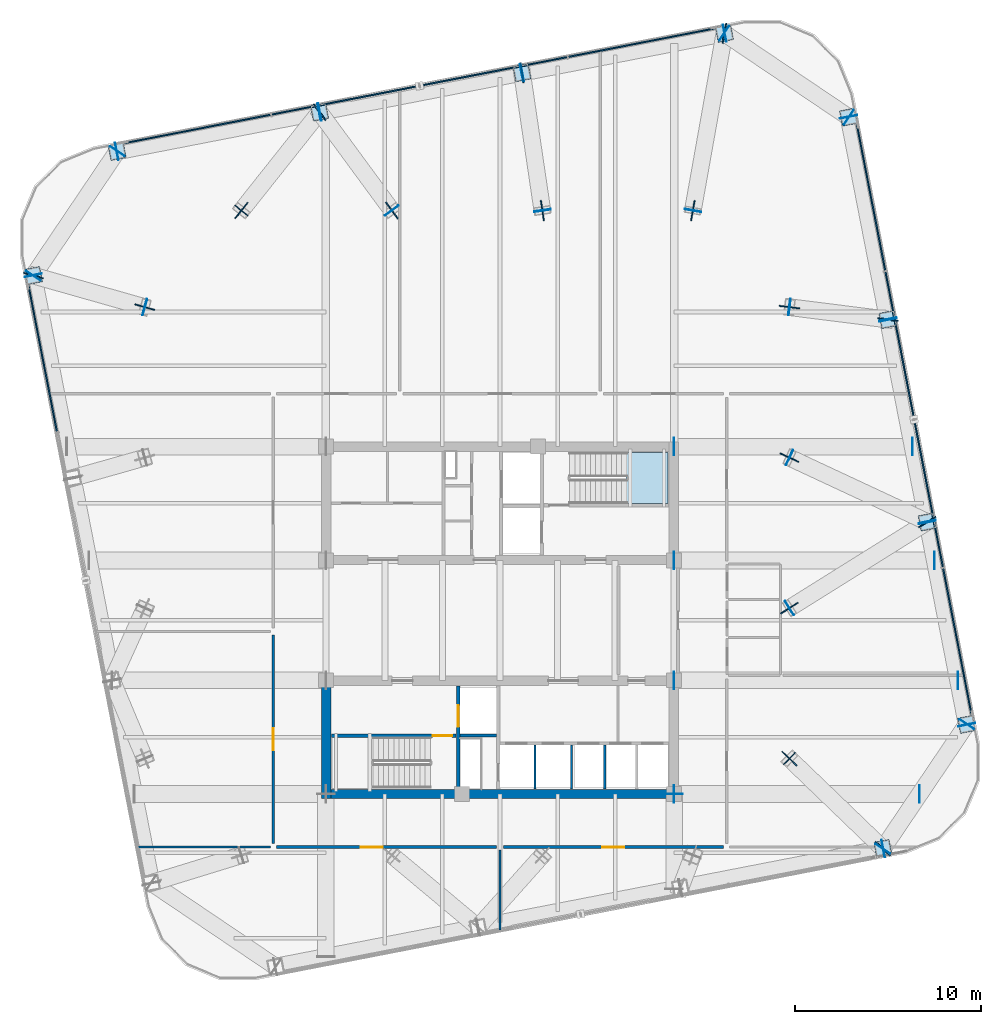
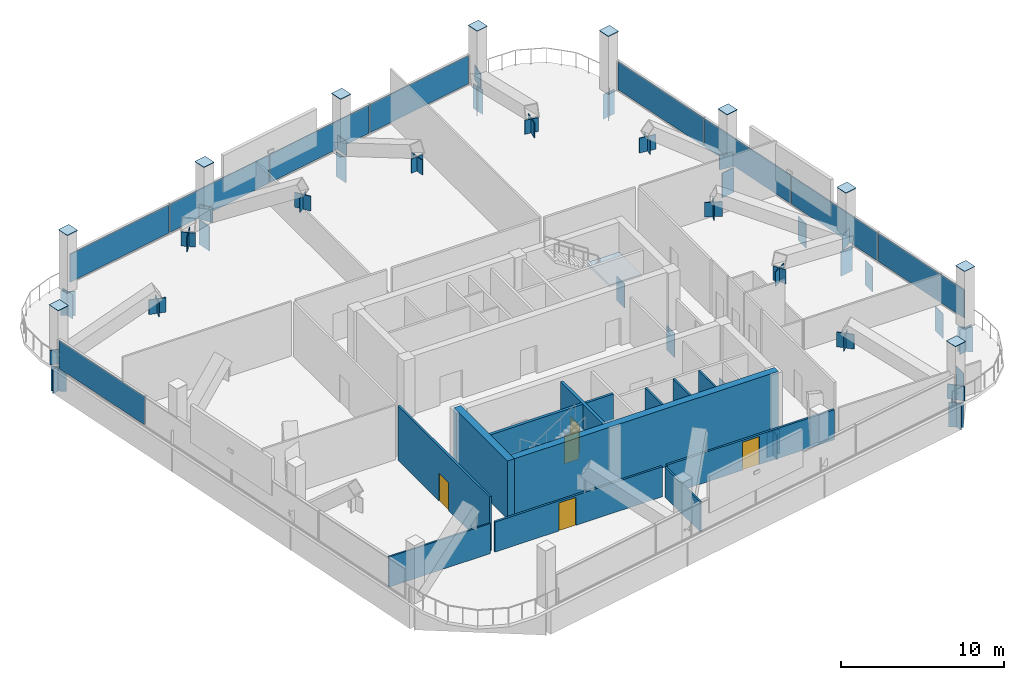
# One storey, part 20 of 26: 73 plates, 13 walls, 5 doors, 1 slab, 5 openings, 4 elements without a shape of their own.
"""IFC4 building model written with IfcOpenShell, lengths in metres."""

from ifc_helpers import new_model, si_unit, direction, frame, frame_2d, origin, origin_2d, place, context, subcontext, project, spatial, polyline, rectangle, outline, extrude, material, layer, layer_set, type_object, element, fill, aggregate, save


model = new_model("IFC4")

# Units and contexts
model_context = context("Model", 3, precision=1e-05, world=origin(), true_north=direction((0.0, 1.0)))
body_context = subcontext(model_context, "Body", "Model", "MODEL_VIEW")
ifc_project = project(units=[si_unit("LENGTHUNIT", "METRE"), si_unit("AREAUNIT", "SQUARE_METRE"), si_unit("VOLUMEUNIT", "CUBIC_METRE"), si_unit("PLANEANGLEUNIT", "RADIAN"), si_unit("MASSUNIT", "GRAM", prefix="KILO")], contexts=[model_context])

# Site, building, storey
site_placement = place(None, origin())
site = spatial("IfcSite", under=ifc_project, at=site_placement, CompositionType="ELEMENT")
building_placement = place(site_placement, origin())
building = spatial("IfcBuilding", under=site, at=building_placement, Name="Qhalaya Broadcast Tower", CompositionType="ELEMENT")
storey_placement = place(building_placement, frame((0.0, 0.0, 140.25)))
storey = spatial("IfcBuildingStorey", under=building, at=storey_placement, Name="L41", CompositionType="ELEMENT", Elevation=140.25)

# Plates
ifc_material_1 = material(Name="Structural Steel ASTM A572 Grade 50", Category="steel")
ifc_layer_1 = layer(ifc_material_1, 0.054931640625, Name="Structural Steel ASTM A572 Grade 50")
ifc_layer_set_1 = layer_set([ifc_layer_1], Name="Structural Steel ASTM A572 Grade 50")
plate_type_1 = type_object("IfcPlateType", Name="Exoskeleton Diamond Node Gusset Plate NP-01", PredefinedType="USERDEFINED", material=ifc_layer_set_1)
for number, where, z_axis, x_axis, name in (
    (1, (20.608642578125, -11.682373046875, 0.0), (0.0, 0.0, 1.0), (-0.720321131312, 0.693640733943, 0.0), "L41 Strut Foot Gusset Plate 05"),
    (2, (15.580078125, -6.840087890625, 2.7099609375), (0.0, 0.0, 1.0), (-0.720321131312, 0.693640733943, 0.0), "L41 Strut Head Gusset Plate 05"),
    (3, (22.998291015625, 5.896484375, 0.0), (0.0, 0.0, 1.0), (-0.847992598491, -0.530008068716, 0.0), "L41 Strut Foot Gusset Plate 06"),
    (4, (15.580078125, 1.260009765625, 2.7099609375), (0.0, 0.0, 1.0), (-0.847992598491, -0.530008068716, 0.0), "L41 Strut Head Gusset Plate 06"),
    (5, (15.580078125, 9.360107421875, 2.7099609375), (0.0, 0.0, 1.0), (-0.906115915645, 0.423029487641, 0.0), "L41 Strut Head Gusset Plate 07"),
    (6, (20.88037109375, 16.79248046875, 0.0), (0.0, 0.0, 1.0), (-0.992164933362, 0.124934963111, 0.0), "L41 Strut Foot Gusset Plate 08"),
    (7, (15.580078125, 17.4599609375, 2.7099609375), (0.0, 0.0, 1.0), (-0.992164933362, 0.124934963111, 0.0), "L41 Strut Head Gusset Plate 08"),
    (8, (12.07958984375, 32.1962890625, 0.0), (0.0, 0.0, 1.0), (-0.175452639534, -0.984487872592, 0.0), "L41 Strut Foot Gusset Plate 09"),
    (9, (10.3798828125, 22.659912109375, 2.7099609375), (0.0, 0.0, 1.0), (-0.175452639534, -0.984487872592, 0.0), "L41 Strut Head Gusset Plate 09"),
    (10, (1.183349609375, 30.078369140625, 0.0), (0.0, 0.0, 1.0), (0.146238421294, -0.98924937409, 0.0), "L41 Strut Foot Gusset Plate 10"),
    (11, (2.280029296875, 22.659912109375, 2.7099609375), (0.0, 0.0, 1.0), (0.146238421294, -0.98924937409, 0.0), "L41 Strut Head Gusset Plate 10"),
    (12, (-9.712646484375, 27.96044921875, 0.0), (0.0, 0.0, 1.0), (0.591914711667, -0.806000604288, 0.0), "L41 Strut Foot Gusset Plate 11"),
    (13, (-5.820068359375, 22.659912109375, 2.7099609375), (0.0, 0.0, 1.0), (0.591914711667, -0.806000604288, 0.0), "L41 Strut Head Gusset Plate 11"),
    (14, (-13.919921875, 22.659912109375, 2.7099609375), (0.0, 0.0, 1.0), (-0.62172209065, -0.783237921706, 0.0), "L41 Strut Head Gusset Plate 12"),
    (15, (-25.1162109375, 19.159423828125, 0.0), (0.0, 0.0, 1.0), (0.962103856634, -0.272683276072, 0.0), "L41 Strut Foot Gusset Plate 13"),
    (16, (-19.1201171875, 17.4599609375, 2.7099609375), (0.0, 0.0, 1.0), (0.962103856634, -0.272683276072, 0.0), "L41 Strut Head Gusset Plate 13"),
):
    element("IfcPlate", number, at=place(storey_placement, frame(where, z_axis=z_axis, x_axis=x_axis)), inside=storey, type_object=plate_type_1, Name=name, ObjectType="GUSSET_PLATE", PredefinedType="USERDEFINED", context=body_context, shape_type="SweptSolid", body=[
        extrude(rectangle(XDim=1.10009765625, YDim=0.06005859375, at=origin_2d()), origin(), (0.0, 0.0, 1.0), 1.10009765625),
    ])
ifc_layer_2 = layer(ifc_material_1, 0.4599609375, Name="Structural Steel ASTM A572 Grade 50")
ifc_layer_set_2 = layer_set([ifc_layer_2], Name="Structural Steel ASTM A572 Grade 50")
plate_type_2 = type_object("IfcPlateType", Name="Hollow Box Member End Cap Plate CP-01", PredefinedType="USERDEFINED", material=ifc_layer_set_2)
for number, where, z_axis, x_axis, name in (
    (17, (20.62451171875, -11.67919921875, -2.0400390625), (0.0, 0.0, 1.0), (-0.190808995377, 0.981627183448, 0.0), "L41 Hollow Girder End Cap L41-SPR-03-B"),
    (18, (20.599853515625, -11.69580078125, -2.0400390625), (0.0, 0.0, 1.0), (-0.829037572555, 0.559192903471, 0.0), "L41 Hollow Girder End Cap L41-SPR-04-A"),
    (19, (25.125244140625, -4.986083984375, -2.0400390625), (0.0, 0.0, 1.0), (-0.829037572555, 0.559192903471, 0.0), "L41 Hollow Girder End Cap L41-SPR-04-B"),
    (20, (25.119384765625, -5.01513671875, -2.0400390625), (0.0, 0.0, 1.0), (-0.981627183448, -0.190808995377, 0.0), "L41 Hollow Girder End Cap L41-SPR-05-A"),
    (21, (22.995361328125, 5.912353515625, -2.0400390625), (0.0, 0.0, 1.0), (-0.981627183448, -0.190808995377, 0.0), "L41 Hollow Girder End Cap L41-SPR-05-B"),
    (22, (23.00146484375, 5.880859375, -2.0400390625), (0.0, 0.0, 1.0), (-0.981627183448, -0.190808995377, 0.0), "L41 Hollow Girder End Cap L41-SPR-06-A"),
    (23, (20.877197265625, 16.808349609375, -2.0400390625), (0.0, 0.0, 1.0), (-0.981627183448, -0.190808995377, 0.0), "L41 Hollow Girder End Cap L41-SPR-06-B"),
    (24, (20.883544921875, 16.77685546875, -2.0400390625), (0.0, 0.0, 1.0), (-0.981627183448, -0.190808995377, 0.0), "L41 Hollow Girder End Cap L41-SPR-07-A"),
    (25, (18.75927734375, 27.704345703125, -2.0400390625), (0.0, 0.0, 1.0), (-0.981627183448, -0.190808995377, 0.0), "L41 Hollow Girder End Cap L41-SPR-07-B"),
    (26, (18.775634765625, 27.6796875, -2.0400390625), (0.0, 0.0, 1.0), (-0.559192903471, -0.829037572555, 0.0), "L41 Hollow Girder End Cap L41-SPR-08-A"),
    (27, (12.066162109375, 32.205078125, -2.0400390625), (0.0, 0.0, 1.0), (-0.559192903471, -0.829037572555, 0.0), "L41 Hollow Girder End Cap L41-SPR-08-B"),
    (28, (12.09521484375, 32.199462890625, -2.0400390625), (0.0, 0.0, 1.0), (0.190808995377, -0.981627183448, 0.0), "L41 Hollow Girder End Cap L41-SPR-09-A"),
    (29, (1.167724609375, 30.0751953125, -2.0400390625), (0.0, 0.0, 1.0), (0.190808995377, -0.981627183448, 0.0), "L41 Hollow Girder End Cap L41-SPR-09-B"),
    (30, (1.19921875, 30.08154296875, -2.0400390625), (0.0, 0.0, 1.0), (0.190808995377, -0.981627183448, 0.0), "L41 Hollow Girder End Cap L41-SPR-10-A"),
    (31, (-9.728271484375, 27.957275390625, -2.0400390625), (0.0, 0.0, 1.0), (0.190808995377, -0.981627183448, 0.0), "L41 Hollow Girder End Cap L41-SPR-10-B"),
    (32, (-9.697021484375, 27.96337890625, -2.0400390625), (0.0, 0.0, 1.0), (0.190808995377, -0.981627183448, 0.0), "L41 Hollow Girder End Cap L41-SPR-11-A"),
    (33, (-20.62451171875, 25.83935546875, -2.0400390625), (0.0, 0.0, 1.0), (0.190808995377, -0.981627183448, 0.0), "L41 Hollow Girder End Cap L41-SPR-11-B"),
    (34, (-20.599853515625, 25.855712890625, -2.0400390625), (0.0, 0.0, 1.0), (0.829037572555, -0.559192903471, 0.0), "L41 Hollow Girder End Cap L41-SPR-12-A"),
    (35, (-25.125244140625, 19.146240234375, -2.0400390625), (0.0, 0.0, 1.0), (0.829037572555, -0.559192903471, 0.0), "L41 Hollow Girder End Cap L41-SPR-12-B"),
    (36, (-25.119384765625, 19.17529296875, -2.0400390625), (0.0, 0.0, 1.0), (0.981627183448, 0.190808995377, 0.0), "L41 Hollow Girder End Cap L41-SPR-13-A"),
    (37, (9.375, -8.73388671875, -2.0400390625), (0.0, 0.0, 1.0), (-1.0, 0.0, 0.0), "L41 Hollow Girder End Cap L41-PGXS2-1-B"),
    (38, (9.35888671875, -8.75, -2.0400390625), (0.0, 0.0, 1.0), (0.0, 1.0, 0.0), "L41 Hollow Girder End Cap L41-PGYE1-1-A"),
    (39, (22.57861328125, -8.75, -2.0400390625), (0.0, 0.0, 1.0), (0.0, 1.0, 0.0), "L41 Hollow Girder End Cap L41-PGYE1-1-B"),
    (40, (9.35888671875, -2.625, -2.0400390625), (0.0, 0.0, 1.0), (0.0, 1.0, 0.0), "L41 Hollow Girder End Cap L41-PGYE2-1-A"),
    (41, (24.650390625, -2.625, -2.0400390625), (0.0, 0.0, 1.0), (0.0, 1.0, 0.0), "L41 Hollow Girder End Cap L41-PGYE2-1-B"),
    (42, (9.35888671875, 3.824951171875, -2.0400390625), (0.0, 0.0, 1.0), (0.0, 1.0, 0.0), "L41 Hollow Girder End Cap L41-PGYE3-1-A"),
    (43, (23.396728515625, 3.824951171875, -2.0400390625), (0.0, 0.0, 1.0), (0.0, 1.0, 0.0), "L41 Hollow Girder End Cap L41-PGYE3-1-B"),
    (44, (9.35888671875, 9.949951171875, -2.0400390625), (0.0, 0.0, 1.0), (0.0, 1.0, 0.0), "L41 Hollow Girder End Cap L41-PGYE4-1-A"),
    (45, (22.2060546875, 9.949951171875, -2.0400390625), (0.0, 0.0, 1.0), (0.0, 1.0, 0.0), "L41 Hollow Girder End Cap L41-PGYE4-1-B"),
):
    element("IfcPlate", number, at=place(storey_placement, frame(where, z_axis=z_axis, x_axis=x_axis)), inside=storey, type_object=plate_type_2, Name=name, ObjectType="COVER_PLATE", PredefinedType="USERDEFINED", context=body_context, shape_type="SweptSolid", body=[
        extrude(rectangle(XDim=0.93994140625, YDim=0.031982421875, at=origin_2d()), origin(), (0.0, 0.0, 1.0), 1.840087890625),
    ])
for number, where, z_axis, x_axis, name in (
    (46, (20.608642578125, -11.682373046875, 4.35009765625), (0.0, 0.0, 1.0), (0.981627183448, 0.190808995377, 0.0), "L41 Hollow Box Column Top Cap Plate COL-EX04"),
    (47, (25.1162109375, -4.99951171875, 4.35009765625), (0.0, 0.0, 1.0), (-0.190808995377, 0.981627183448, 0.0), "L41 Hollow Box Column Top Cap Plate COL-EX05"),
    (48, (22.998291015625, 5.896484375, 4.35009765625), (0.0, 0.0, 1.0), (-0.190808995377, 0.981627183448, 0.0), "L41 Hollow Box Column Top Cap Plate COL-EX06"),
    (49, (20.88037109375, 16.79248046875, 4.35009765625), (0.0, 0.0, 1.0), (-0.190808995377, 0.981627183448, 0.0), "L41 Hollow Box Column Top Cap Plate COL-EX07"),
    (50, (18.762451171875, 27.688720703125, 4.35009765625), (0.0, 0.0, 1.0), (-0.190808995377, 0.981627183448, 0.0), "L41 Hollow Box Column Top Cap Plate COL-EX08"),
    (51, (12.07958984375, 32.1962890625, 4.35009765625), (0.0, 0.0, 1.0), (0.981627183448, 0.190808995377, 0.0), "L41 Hollow Box Column Top Cap Plate COL-EX09"),
    (52, (1.183349609375, 30.078369140625, 4.35009765625), (0.0, 0.0, 1.0), (0.981627183448, 0.190808995377, 0.0), "L41 Hollow Box Column Top Cap Plate COL-EX10"),
    (53, (-9.712646484375, 27.96044921875, 4.35009765625), (0.0, 0.0, 1.0), (0.981627183448, 0.190808995377, 0.0), "L41 Hollow Box Column Top Cap Plate COL-EX11"),
    (54, (-20.608642578125, 25.84228515625, 4.35009765625), (0.0, 0.0, 1.0), (0.981627183448, 0.190808995377, 0.0), "L41 Hollow Box Column Top Cap Plate COL-EX12"),
    (55, (-25.1162109375, 19.159423828125, 4.35009765625), (0.0, 0.0, 1.0), (-0.190808995377, 0.981627183448, 0.0), "L41 Hollow Box Column Top Cap Plate COL-EX13"),
):
    element("IfcPlate", number, at=place(storey_placement, frame(where, z_axis=z_axis, x_axis=x_axis)), inside=storey, type_object=plate_type_2, Name=name, ObjectType="COVER_PLATE", PredefinedType="USERDEFINED", context=body_context, shape_type="SweptSolid", body=[
        extrude(rectangle(XDim=0.840087890625, YDim=0.840087890625, at=origin_2d()), origin(), (0.0, 0.0, 1.0), 0.031982421875),
    ])

# Curtain wall, plates
ifc_material_2 = material(Name="Fired Architectural Terracotta", Category="masonry")
ifc_layer_3 = layer(ifc_material_2, 0.219970703125, Name="Fired Architectural Terracotta")
ifc_layer_set_3 = layer_set([ifc_layer_3], Name="Fired Architectural Terracotta")
curtain_wall_type = type_object("IfcCurtainWallType", Name="Block-Cap Unitised Terracotta Spandrel Wall CW-07", PredefinedType="NOTDEFINED", material=ifc_layer_set_3)
curtain_wall_1_placement = place(storey_placement, origin())
curtain_wall_1 = element("IfcCurtainWall", 56, at=curtain_wall_1_placement, inside=storey, type_object=curtain_wall_type, Name="L41 Unitised Curtain Wall L41-CW-E", PredefinedType="NOTDEFINED")
ifc_layer_4 = layer(ifc_material_2, 0.080078125, Name="Fired Architectural Terracotta")
ifc_layer_set_4 = layer_set([ifc_layer_4], Name="Fired Architectural Terracotta")
plate_type_3 = type_object("IfcPlateType", Name="Insulated Terracotta Spandrel Panel TSP-07", PredefinedType="CURTAIN_PANEL", material=ifc_layer_set_4)
plate_1_placement = place(storey_placement, frame((19.968994140625, 23.3671875, 0.074951171875), z_axis=(0.0, 0.0, 1.0), x_axis=(0.190810076719, -0.981626973255, 0.0)))
plate_1 = element("IfcPlate", 57, at=plate_1_placement, type_object=plate_type_3, Name="CW-07 panel 1.1", PredefinedType="CURTAIN_PANEL", context=body_context, shape_type="SweptSolid", body=[
    extrude(rectangle(XDim=8.0185546875, YDim=0.080078125, at=origin_2d()), origin(), (0.0, 0.0, 1.0), 2.10009765625),
])
plate_2_placement = place(storey_placement, frame((21.51708984375, 15.404052734375, 0.074951171875), z_axis=(0.0, 0.0, 1.0), x_axis=(0.190810076719, -0.981626973255, 0.0)))
plate_2 = element("IfcPlate", 58, at=plate_2_placement, type_object=plate_type_3, Name="CW-07 panel 2.1", PredefinedType="CURTAIN_PANEL", context=body_context, shape_type="SweptSolid", body=[
    extrude(rectangle(XDim=8.055908203125, YDim=0.080078125, at=origin_2d()), origin(), (0.0, 0.0, 1.0), 2.10009765625),
])
plate_3_placement = place(storey_placement, frame((23.068603515625, 7.422607421875, 0.074951171875), z_axis=(0.0, 0.0, 1.0), x_axis=(0.190810076719, -0.981626973255, 0.0)))
plate_3 = element("IfcPlate", 59, at=plate_3_placement, type_object=plate_type_3, Name="CW-07 panel 3.1", PredefinedType="CURTAIN_PANEL", context=body_context, shape_type="SweptSolid", body=[
    extrude(rectangle(XDim=8.055908203125, YDim=0.080078125, at=origin_2d()), origin(), (0.0, 0.0, 1.0), 2.10009765625),
])
plate_4_placement = place(storey_placement, frame((24.616455078125, -0.540771484375, 0.074951171875), z_axis=(0.0, 0.0, 1.0), x_axis=(0.190810076719, -0.981626973255, 0.0)))
plate_4 = element("IfcPlate", 60, at=plate_4_placement, type_object=plate_type_3, Name="CW-07 panel 4.1", PredefinedType="CURTAIN_PANEL", context=body_context, shape_type="SweptSolid", body=[
    extrude(rectangle(XDim=8.0185546875, YDim=0.080078125, at=origin_2d()), origin(), (0.0, 0.0, 1.0), 2.10009765625),
])
aggregate(curtain_wall_1, [plate_1, plate_2, plate_3, plate_4])

curtain_wall_2_placement = place(storey_placement, origin())
curtain_wall_2 = element("IfcCurtainWall", 61, at=curtain_wall_2_placement, inside=storey, type_object=curtain_wall_type, Name="L41 Unitised Curtain Wall L41-CW-N", PredefinedType="NOTDEFINED")
plate_5_placement = place(storey_placement, frame((-16.287353515625, 27.049072265625, 0.074951171875), z_axis=(0.0, 0.0, 1.0), x_axis=(0.981626973255, 0.190810076719, 0.0)))
plate_5 = element("IfcPlate", 62, at=plate_5_placement, type_object=plate_type_3, Name="CW-07 panel 1.1", PredefinedType="CURTAIN_PANEL", context=body_context, shape_type="SweptSolid", body=[
    extrude(rectangle(XDim=8.0185546875, YDim=0.080078125, at=origin_2d()), origin(), (0.0, 0.0, 1.0), 2.10009765625),
])
plate_6_placement = place(storey_placement, frame((-8.32421875, 28.596923828125, 0.074951171875), z_axis=(0.0, 0.0, 1.0), x_axis=(0.981626973255, 0.190810076719, 0.0)))
plate_6 = element("IfcPlate", 63, at=plate_6_placement, type_object=plate_type_3, Name="CW-07 panel 2.1", PredefinedType="CURTAIN_PANEL", context=body_context, shape_type="SweptSolid", body=[
    extrude(rectangle(XDim=8.055908203125, YDim=0.080078125, at=origin_2d()), origin(), (0.0, 0.0, 1.0), 2.10009765625),
])
plate_7_placement = place(storey_placement, frame((-0.342529296875, 30.1484375, 0.074951171875), z_axis=(0.0, 0.0, 1.0), x_axis=(0.981626973255, 0.190810076719, 0.0)))
plate_7 = element("IfcPlate", 64, at=plate_7_placement, type_object=plate_type_3, Name="CW-07 panel 3.1", PredefinedType="CURTAIN_PANEL", context=body_context, shape_type="SweptSolid", body=[
    extrude(rectangle(XDim=8.055908203125, YDim=0.080078125, at=origin_2d()), origin(), (0.0, 0.0, 1.0), 2.10009765625),
])
plate_8_placement = place(storey_placement, frame((7.62060546875, 31.6962890625, 0.074951171875), z_axis=(0.0, 0.0, 1.0), x_axis=(0.981626973255, 0.190810076719, 0.0)))
plate_8 = element("IfcPlate", 65, at=plate_8_placement, type_object=plate_type_3, Name="CW-07 panel 4.1", PredefinedType="CURTAIN_PANEL", context=body_context, shape_type="SweptSolid", body=[
    extrude(rectangle(XDim=8.0185546875, YDim=0.080078125, at=origin_2d()), origin(), (0.0, 0.0, 1.0), 2.10009765625),
])
aggregate(curtain_wall_2, [plate_5, plate_6, plate_7, plate_8])

# Curtain wall, plate
curtain_wall_3_placement = place(storey_placement, origin())
curtain_wall_3 = element("IfcCurtainWall", 66, at=curtain_wall_3_placement, inside=storey, type_object=curtain_wall_type, Name="L41 Unitised Curtain Wall L41-CW-W", PredefinedType="NOTDEFINED")
plate_9_placement = place(storey_placement, frame((-24.616455078125, 14.70068359375, 0.074951171875), z_axis=(0.0, 0.0, 1.0), x_axis=(-0.190810076719, 0.981626973255, 0.0)))
plate_9 = element("IfcPlate", 67, at=plate_9_placement, type_object=plate_type_3, Name="CW-07 panel 4.1", PredefinedType="CURTAIN_PANEL", context=body_context, shape_type="SweptSolid", body=[
    extrude(rectangle(XDim=8.0185546875, YDim=0.080078125, at=origin_2d()), origin(), (0.0, 0.0, 1.0), 2.10009765625),
])
aggregate(curtain_wall_3, [plate_9])

# Stair, slab
ifc_material_3 = material(Name="Concrete C40/50", Category="concrete")
stair_type = type_object("IfcStairType", Name="Protected Dogleg Core Stair 4200", PredefinedType="TWO_STRAIGHT_RUN_STAIR", material=ifc_material_3)
stair_placement = place(storey_placement, origin())
stair = element("IfcStair", 68, at=stair_placement, inside=storey, type_object=stair_type, Name="L41 North Core Exit Stair ST-1", PredefinedType="TWO_STRAIGHT_RUN_STAIR")
ifc_layer_5 = layer(ifc_material_3, 0.199951171875, Name="Concrete C40/50")
ifc_layer_set_5 = layer_set([ifc_layer_5], Name="Concrete C40/50")
slab_type = type_object("IfcSlabType", Name="Stair & Ramp Half-Landing Slab 200", PredefinedType="LANDING", material=ifc_layer_set_5)
slab_placement = place(storey_placement, frame((0.0, 0.0, 1.97509765625)))
slab = element("IfcSlab", 69, at=slab_placement, type_object=slab_type, Name="ST-1 landing 1", PredefinedType="LANDING", context=body_context, shape_type="SweptSolid", body=[
    extrude(outline(polyline([(6.794921875, 6.8798828125), (9.050048828125, 6.8798828125), (9.050048828125, 9.639892578125), (6.794921875, 9.639892578125), (6.794921875, 6.8798828125)])), origin(), (0.0, 0.0, 1.0), 0.199951171875),
])
aggregate(stair, [slab])

# Plates
ifc_layer_6 = layer(ifc_material_1, 0.044921875, Name="Structural Steel ASTM A572 Grade 50")
ifc_layer_set_6 = layer_set([ifc_layer_6], Name="Structural Steel ASTM A572 Grade 50")
plate_type_4 = type_object("IfcPlateType", Name="Transfer Girder Web Stiffener Plate WS-01", PredefinedType="USERDEFINED", material=ifc_layer_set_6)
for number, where, z_axis, x_axis, name in (
    (70, (15.580078125, -6.840087890625, 2.73486328125), (0.0, 0.0, 1.0), (-0.693640733943, -0.720321131312, 0.0), "L41 Strut Head Cross Diaphragm Plate 05"),
    (71, (15.580078125, 1.260009765625, 2.73486328125), (0.0, 0.0, 1.0), (0.530008068716, -0.847992598491, 0.0), "L41 Strut Head Cross Diaphragm Plate 06"),
    (72, (15.580078125, 9.360107421875, 2.73486328125), (0.0, 0.0, 1.0), (-0.423029487641, -0.906115915645, 0.0), "L41 Strut Head Cross Diaphragm Plate 07"),
    (73, (15.580078125, 17.4599609375, 2.73486328125), (0.0, 0.0, 1.0), (-0.124934963111, -0.992164933362, 0.0), "L41 Strut Head Cross Diaphragm Plate 08"),
    (74, (10.3798828125, 22.659912109375, 2.73486328125), (0.0, 0.0, 1.0), (0.984487872592, -0.175452639534, 0.0), "L41 Strut Head Cross Diaphragm Plate 09"),
    (75, (2.280029296875, 22.659912109375, 2.73486328125), (0.0, 0.0, 1.0), (0.98924937409, 0.146238421294, 0.0), "L41 Strut Head Cross Diaphragm Plate 10"),
    (76, (-5.820068359375, 22.659912109375, 2.73486328125), (0.0, 0.0, 1.0), (0.806000604288, 0.591914711667, 0.0), "L41 Strut Head Cross Diaphragm Plate 11"),
    (77, (-13.919921875, 22.659912109375, 2.73486328125), (0.0, 0.0, 1.0), (0.783237921706, -0.62172209065, 0.0), "L41 Strut Head Cross Diaphragm Plate 12"),
    (78, (-19.1201171875, 17.4599609375, 2.73486328125), (0.0, 0.0, 1.0), (0.272683276072, 0.962103856634, 0.0), "L41 Strut Head Cross Diaphragm Plate 13"),
):
    element("IfcPlate", number, at=place(storey_placement, frame(where, z_axis=z_axis, x_axis=x_axis)), inside=storey, type_object=plate_type_4, Name=name, ObjectType="STIFFENER_PLATE", PredefinedType="USERDEFINED", context=body_context, shape_type="SweptSolid", body=[
        extrude(rectangle(XDim=0.89990234375, YDim=0.044921875, at=origin_2d()), origin(), (0.0, 0.0, 1.0), 1.050048828125),
    ])

# Wall, opening, door
ifc_material_4 = material(Name="Gypsum Acoustic Partition")
ifc_layer_7 = layer(ifc_material_4, 0.14990234375, Name="Gypsum Acoustic Partition")
ifc_layer_set_7 = layer_set([ifc_layer_7], Name="Gypsum Acoustic Partition")
wall_type_1 = type_object("IfcWallType", Name="Corridor & Tenancy Acoustic Partition 150", PredefinedType="PARTITIONING", material=ifc_layer_set_7)
wall_1_placement = place(storey_placement, frame((-12.02001953125, -11.60009765625, 0.0), z_axis=(0.0, 0.0, 1.0), x_axis=(1.0, 0.0, 0.0)))
wall_1 = element("IfcWall", 79, at=wall_1_placement, inside=storey, type_object=wall_type_1, Name="L41 Partition Wall W-COR-04", PredefinedType="PARTITIONING", context=body_context, shape_type="SweptSolid", body=[
    extrude(rectangle(XDim=11.840087890625, YDim=0.14990234375, at=frame_2d((5.919921875, 0.0))), origin(), (0.0, 0.0, 1.0), 2.25),
])
opening_1_placement = place(wall_1_placement, frame((4.52001953125, 0.0, 0.0)))
opening_1 = element("IfcOpeningElement", 80, at=opening_1_placement, cuts=wall_1, Name="Opening D11", PredefinedType="OPENING", context=body_context, shape_type="SweptSolid", body=[
    extrude(rectangle(XDim=1.199951171875, YDim=2.10009765625, at=frame_2d((0.60009765625, 1.050048828125))), frame((0.0, 0.0869140625, 0.0), z_axis=(0.0, -1.0, 0.0), x_axis=(1.0, 0.0, 0.0)), (0.0, 0.0, 1.0), 0.173828125),
])
ifc_material_5 = material(Name="Anodised Aluminium Glazed Door", Category="aluminium")
door_type_1 = type_object("IfcDoorType", Name="Conference, Boardroom & Studio Control Door D11", OperationType="NOTDEFINED", PredefinedType="DOOR", material=ifc_material_5)
door_1_placement = place(opening_1_placement, origin())
door_1 = element("IfcDoor", 81, at=door_1_placement, inside=storey, type_object=door_type_1, Name="L41 Door D-RM04", OperationType="SINGLE_SWING_RIGHT", OverallHeight=2.10009765625, OverallWidth=1.199951171875, PredefinedType="DOOR", context=body_context, shape_type="SweptSolid", body=[
    extrude(rectangle(XDim=1.199951171875, YDim=2.10009765625, at=frame_2d((0.60009765625, 1.050048828125))), frame((0.0, 0.02490234375, 0.0), z_axis=(0.0, -1.0, 0.0), x_axis=(1.0, 0.0, 0.0)), (0.0, 0.0, 1.0), 0.050048828125),
])
fill(opening_1, door_1)

wall_2_placement = place(storey_placement, frame((0.179931640625, -11.60009765625, 0.0), z_axis=(0.0, 0.0, 1.0), x_axis=(1.0, 0.0, 0.0)))
wall_2 = element("IfcWall", 82, at=wall_2_placement, inside=storey, type_object=wall_type_1, Name="L41 Partition Wall W-COR-05", PredefinedType="PARTITIONING", context=body_context, shape_type="SweptSolid", body=[
    extrude(rectangle(XDim=11.840087890625, YDim=0.14990234375, at=frame_2d((5.919921875, 0.0))), origin(), (0.0, 0.0, 1.0), 2.25),
])
opening_2_placement = place(wall_2_placement, frame((5.320068359375, 0.0, 0.0)))
opening_2 = element("IfcOpeningElement", 83, at=opening_2_placement, cuts=wall_2, Name="Opening D11", PredefinedType="OPENING", context=body_context, shape_type="SweptSolid", body=[
    extrude(rectangle(XDim=1.199951171875, YDim=2.10009765625, at=frame_2d((0.60009765625, 1.050048828125))), frame((0.0, 0.0869140625, 0.0), z_axis=(0.0, -1.0, 0.0), x_axis=(1.0, 0.0, 0.0)), (0.0, 0.0, 1.0), 0.173828125),
])
door_2_placement = place(opening_2_placement, origin())
door_2 = element("IfcDoor", 84, at=door_2_placement, inside=storey, type_object=door_type_1, Name="L41 Door D-RM05", OperationType="SINGLE_SWING_LEFT", OverallHeight=2.10009765625, OverallWidth=1.199951171875, PredefinedType="DOOR", context=body_context, shape_type="SweptSolid", body=[
    extrude(rectangle(XDim=1.199951171875, YDim=2.10009765625, at=frame_2d((0.60009765625, 1.050048828125))), frame((0.0, 0.02490234375, 0.0), z_axis=(0.0, -1.0, 0.0), x_axis=(1.0, 0.0, 0.0)), (0.0, 0.0, 1.0), 0.050048828125),
])
fill(opening_2, door_2)

wall_3_placement = place(storey_placement, frame((-12.199951171875, -11.419921875, 0.0), z_axis=(0.0, 0.0, 1.0), x_axis=(0.0, 1.0, 0.0)))
wall_3 = element("IfcWall", 85, at=wall_3_placement, inside=storey, type_object=wall_type_1, Name="L41 Partition Wall W-COR-06", PredefinedType="PARTITIONING", context=body_context, shape_type="SweptSolid", body=[
    extrude(rectangle(XDim=11.239990234375, YDim=0.14990234375, at=frame_2d((5.6201171875, 0.0))), origin(), (0.0, 0.0, 1.0), 4.070068359375),
])
opening_3_placement = place(wall_3_placement, frame((5.02001953125, 0.0, 0.0)))
opening_3 = element("IfcOpeningElement", 86, at=opening_3_placement, cuts=wall_3, Name="Opening D11", PredefinedType="OPENING", context=body_context, shape_type="SweptSolid", body=[
    extrude(rectangle(XDim=1.199951171875, YDim=2.10009765625, at=frame_2d((0.60009765625, 1.050048828125))), frame((0.0, 0.0869140625, 0.0), z_axis=(0.0, -1.0, 0.0), x_axis=(1.0, 0.0, 0.0)), (0.0, 0.0, 1.0), 0.173828125),
])
door_3_placement = place(opening_3_placement, origin())
door_3 = element("IfcDoor", 87, at=door_3_placement, inside=storey, type_object=door_type_1, Name="L41 Door D-RM06", OperationType="SINGLE_SWING_RIGHT", OverallHeight=2.10009765625, OverallWidth=1.199951171875, PredefinedType="DOOR", context=body_context, shape_type="SweptSolid", body=[
    extrude(rectangle(XDim=1.199951171875, YDim=2.10009765625, at=frame_2d((0.60009765625, 1.050048828125))), frame((0.0, 0.02490234375, 0.0), z_axis=(0.0, -1.0, 0.0), x_axis=(1.0, 0.0, 0.0)), (0.0, 0.0, 1.0), 0.050048828125),
])
fill(opening_3, door_3)

ifc_material_6 = material(Name="Concrete C50/60", Category="concrete")
ifc_layer_8 = layer(ifc_material_6, 0.199951171875, Name="Concrete C50/60")
ifc_layer_set_8 = layer_set([ifc_layer_8], Name="Concrete C50/60")
wall_type_2 = type_object("IfcWallType", Name="Load-Bearing Stair Shaft Wall 200", PredefinedType="SHEAR", material=ifc_layer_set_8)
wall_4_placement = place(storey_placement, frame((-9.080078125, -5.60498046875, 0.0), z_axis=(0.0, 0.0, 1.0), x_axis=(1.0, 0.0, 0.0)))
wall_4 = element("IfcWall", 88, at=wall_4_placement, inside=storey, type_object=wall_type_2, Name="L41 Stair Core Shear Wall SCW-ST2", PredefinedType="SHEAR", context=body_context, shape_type="SweptSolid", body=[
    extrude(rectangle(XDim=6.719970703125, YDim=0.199951171875, at=frame_2d((3.35986328125, 0.0))), origin(), (0.0, 0.0, 1.0), 4.070068359375),
])
opening_4_placement = place(wall_4_placement, frame((5.449951171875, 0.0, 0.0)))
opening_4 = element("IfcOpeningElement", 89, at=opening_4_placement, cuts=wall_4, Name="Opening D03", PredefinedType="OPENING", context=body_context, shape_type="SweptSolid", body=[
    extrude(rectangle(XDim=1.050048828125, YDim=2.080078125, at=frame_2d((0.52490234375, 1.0400390625))), frame((0.0, 0.112060546875, 0.0), z_axis=(0.0, -1.0, 0.0), x_axis=(1.0, 0.0, 0.0)), (0.0, 0.0, 1.0), 0.223876953125),
])
ifc_material_7 = material(Name="Fire-Rated Steel Door", Category="steel")
door_type_2 = type_object("IfcDoorType", Name="Core Stair Protected Fire Door D03", OperationType="NOTDEFINED", PredefinedType="DOOR", material=ifc_material_7)
door_4_placement = place(opening_4_placement, origin())
door_4 = element("IfcDoor", 90, at=door_4_placement, inside=storey, type_object=door_type_2, Name="L41 Door D-SST2", OperationType="SINGLE_SWING_RIGHT", OverallHeight=2.080078125, OverallWidth=1.050048828125, PredefinedType="DOOR", context=body_context, shape_type="SweptSolid", body=[
    extrude(rectangle(XDim=1.050048828125, YDim=2.080078125, at=frame_2d((0.52490234375, 1.0400390625))), frame((0.0, 0.02490234375, 0.0), z_axis=(0.0, -1.0, 0.0), x_axis=(1.0, 0.0, 0.0)), (0.0, 0.0, 1.0), 0.050048828125),
])
fill(opening_4, door_4)

wall_5_placement = place(storey_placement, frame((-2.25, -8.47998046875, 0.0), z_axis=(0.0, 0.0, 1.0), x_axis=(0.0, 1.0, 0.0)))
wall_5 = element("IfcWall", 91, at=wall_5_placement, inside=storey, type_object=wall_type_2, Name="L41 Stair Core Shear Wall SCW-FF", PredefinedType="SHEAR", context=body_context, shape_type="SweptSolid", body=[
    extrude(rectangle(XDim=5.56005859375, YDim=0.199951171875, at=frame_2d((2.780029296875, 0.0))), origin(), (0.0, 0.0, 1.0), 4.070068359375),
])
opening_5_placement = place(wall_5_placement, frame((3.35009765625, 0.0, 0.0)))
opening_5 = element("IfcOpeningElement", 92, at=opening_5_placement, cuts=wall_5, Name="Opening LD2", PredefinedType="OPENING", context=body_context, shape_type="SweptSolid", body=[
    extrude(rectangle(XDim=1.14990234375, YDim=2.080078125, at=frame_2d((0.574951171875, 1.0400390625))), frame((0.0, 0.112060546875, 0.0), z_axis=(0.0, -1.0, 0.0), x_axis=(1.0, 0.0, 0.0)), (0.0, 0.0, 1.0), 0.223876953125),
])
ifc_material_8 = material(Name="Brushed Stainless Steel Lift Door", Category="steel")
door_type_3 = type_object("IfcDoorType", Name="Firefighting Lift Sliding Landing Door LD2", OperationType="DOUBLE_DOOR_SLIDING", PredefinedType="DOOR", material=ifc_material_8)
door_5_placement = place(opening_5_placement, origin())
door_5 = element("IfcDoor", 93, at=door_5_placement, inside=storey, type_object=door_type_3, Name="L41 Door LD-FF2", OperationType="DOUBLE_DOOR_SLIDING", OverallHeight=2.080078125, OverallWidth=1.14990234375, PredefinedType="DOOR", context=body_context, shape_type="SweptSolid", body=[
    extrude(rectangle(XDim=1.14990234375, YDim=2.080078125, at=frame_2d((0.574951171875, 1.0400390625))), frame((0.0, 0.02490234375, 0.0), z_axis=(0.0, -1.0, 0.0), x_axis=(1.0, 0.0, 0.0)), (0.0, 0.0, 1.0), 0.050048828125),
])
fill(opening_5, door_5)

# Walls
ifc_layer_9 = layer(ifc_material_6, 0.5, Name="Concrete C50/60")
ifc_layer_set_9 = layer_set([ifc_layer_9], Name="Concrete C50/60")
wall_type_3 = type_object("IfcWallType", Name="Mid Split-Core Shear Wall 500", PredefinedType="SHEAR", material=ifc_layer_set_9)
wall_6_placement = place(storey_placement, frame((-9.60009765625, -8.75, 0.0), z_axis=(0.0, 0.0, 1.0), x_axis=(1.0, 0.0, 0.0)))
element("IfcWall", 94, at=wall_6_placement, inside=storey, type_object=wall_type_3, Name="L41 Split-Core Shear Wall CW-SS", PredefinedType="SHEAR", context=body_context, shape_type="SweptSolid", body=[
    extrude(rectangle(XDim=19.2001953125, YDim=0.5, at=frame_2d((9.60009765625, 0.0))), origin(), (0.0, 0.0, 1.0), 4.35009765625),
])
wall_7_placement = place(storey_placement, frame((-9.35009765625, -9.0, 0.0), z_axis=(0.0, 0.0, 1.0), x_axis=(0.0, 1.0, 0.0)))
element("IfcWall", 95, at=wall_7_placement, inside=storey, type_object=wall_type_3, Name="L41 Split-Core Shear Wall CW-SW", PredefinedType="SHEAR", context=body_context, shape_type="SweptSolid", body=[
    extrude(rectangle(XDim=6.60009765625, YDim=0.5, at=frame_2d((3.300048828125, 0.0))), origin(), (0.0, 0.0, 1.0), 4.35009765625),
])
ifc_layer_10 = layer(ifc_material_4, 0.1201171875, Name="Gypsum Acoustic Partition")
ifc_layer_set_10 = layer_set([ifc_layer_10], Name="Gypsum Acoustic Partition")
wall_type_4 = type_object("IfcWallType", Name="Office, Booth & Sanitary Partition 120", PredefinedType="PARTITIONING", material=ifc_layer_set_10)
for number, where, z_axis, x_axis, name in (
    (96, (1.8798828125, -8.47998046875, 0.0), (0.0, 0.0, 1.0), (0.0, 1.0, 0.0), "L41 Partition Wall SCW-MD4"),
    (97, (3.85009765625, -8.47998046875, 0.0), (0.0, 0.0, 1.0), (0.0, 1.0, 0.0), "L41 Partition Wall SCW-MD5"),
    (98, (5.639892578125, -8.47998046875, 0.0), (0.0, 0.0, 1.0), (0.0, 1.0, 0.0), "L41 Partition Wall SCW-HD6"),
):
    element("IfcWall", number, at=place(storey_placement, frame(where, z_axis=z_axis, x_axis=x_axis)), inside=storey, type_object=wall_type_4, Name=name, PredefinedType="PARTITIONING", context=body_context, shape_type="SweptSolid", body=[
        extrude(rectangle(XDim=2.3798828125, YDim=0.1201171875, at=frame_2d((1.18994140625, 0.0))), origin(), (0.0, 0.0, 1.0), 4.070068359375),
    ])
wall_8_placement = place(storey_placement, frame((-19.5244140625, -11.60009765625, 0.0), z_axis=(0.0, 0.0, 1.0), x_axis=(1.0, 0.0, 0.0)))
element("IfcWall", 99, at=wall_8_placement, inside=storey, type_object=wall_type_4, Name="L41 Partition Wall W-BNDW2", PredefinedType="PARTITIONING", context=body_context, shape_type="SweptSolid", body=[
    extrude(rectangle(XDim=7.184326171875, YDim=0.1201171875, at=frame_2d((3.59228515625, 0.0))), origin(), (0.0, 0.0, 1.0), 2.25),
])
wall_9_placement = place(storey_placement, frame((0.0, -16.075439453125, 0.0), z_axis=(0.0, 0.0, 1.0), x_axis=(0.0, 1.0, 0.0)))
element("IfcWall", 100, at=wall_9_placement, inside=storey, type_object=wall_type_4, Name="L41 Partition Wall W-DIVS1", PredefinedType="PARTITIONING", context=body_context, shape_type="SweptSolid", body=[
    extrude(rectangle(XDim=4.3154296875, YDim=0.1201171875, at=frame_2d((2.15771484375, 0.0))), origin(), (0.0, 0.0, 1.0), 2.25),
])
ifc_layer_11 = layer(ifc_material_4, 0.175048828125, Name="Gypsum Acoustic Partition")
ifc_layer_set_11 = layer_set([ifc_layer_11], Name="Gypsum Acoustic Partition")
wall_type_5 = type_object("IfcWallType", Name="Shaft & Riser Fire Partition 175", PredefinedType="PARTITIONING", material=ifc_layer_set_11)
wall_10_placement = place(storey_placement, frame((-2.14990234375, -5.60009765625, 0.0), z_axis=(0.0, 0.0, 1.0), x_axis=(1.0, 0.0, 0.0)))
element("IfcWall", 101, at=wall_10_placement, inside=storey, type_object=wall_type_5, Name="L41 Partition Wall SCW-FFM", PredefinedType="PARTITIONING", context=body_context, shape_type="SweptSolid", body=[
    extrude(rectangle(XDim=1.969970703125, YDim=0.175048828125, at=frame_2d((0.98486328125, 0.0))), origin(), (0.0, 0.0, 1.0), 4.070068359375),
])

save(model, "model.ifc")
